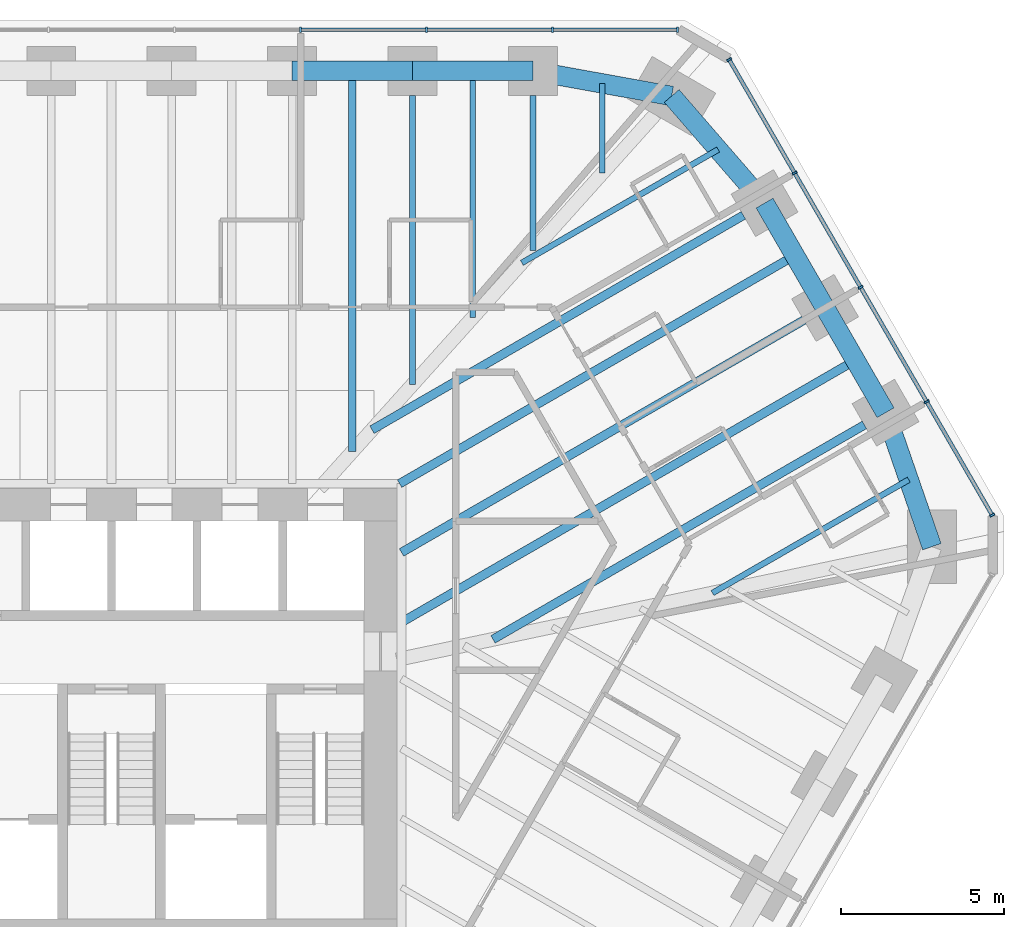
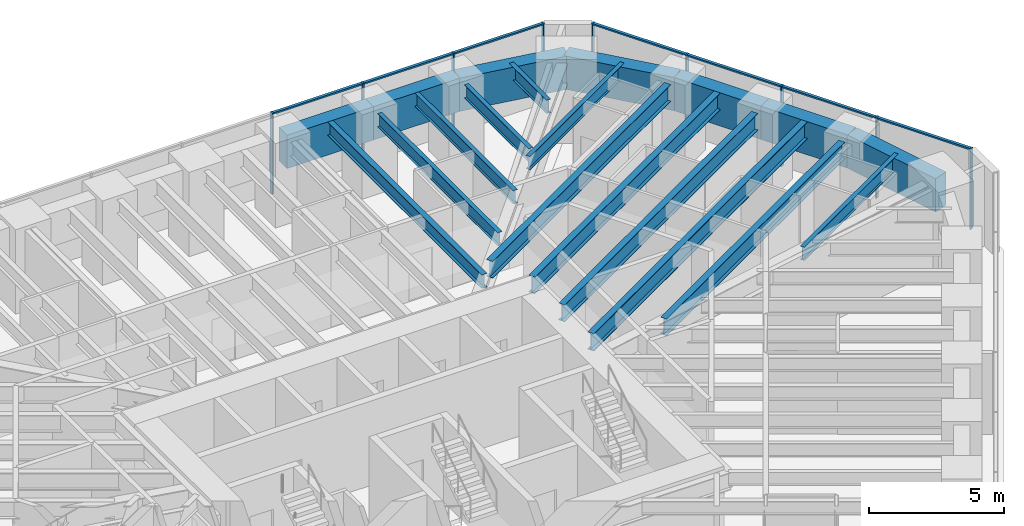
# One storey, part 9 of 17: 19 beams, 16 members, 2 elements without a shape of their own.
"""IFC4 building model written with IfcOpenShell, lengths in metres."""

from ifc_helpers import new_model, si_unit, direction, frame, origin, origin_2d, place, context, subcontext, project, spatial, rectangle, i_section, extrude, material, material_profile, profile_set, type_object, element, aggregate, save


model = new_model("IFC4")

# Units and contexts
model_context = context("Model", 3, precision=1e-05, world=origin(), true_north=direction((0.0, 1.0)))
body_context = subcontext(model_context, "Body", "Model", "MODEL_VIEW")
ifc_project = project(units=[si_unit("LENGTHUNIT", "METRE"), si_unit("AREAUNIT", "SQUARE_METRE"), si_unit("VOLUMEUNIT", "CUBIC_METRE"), si_unit("PLANEANGLEUNIT", "RADIAN"), si_unit("MASSUNIT", "GRAM", prefix="KILO")], contexts=[model_context])

# Site, building, storey
site_placement = place(None, origin())
site = spatial("IfcSite", under=ifc_project, at=site_placement, CompositionType="ELEMENT")
building_placement = place(site_placement, origin())
building = spatial("IfcBuilding", under=site, at=building_placement, Name="Sandreach Pilgrim Tower", CompositionType="ELEMENT")
storey_placement = place(building_placement, frame((0.0, 0.0, 217.39990234375)))
storey = spatial("IfcBuildingStorey", under=building, at=storey_placement, Name="L54", CompositionType="ELEMENT", Elevation=217.39990234375)

# Curtain wall, members
ifc_material_1 = material(Name="Aluminium framed curtain wall", Category="aluminium")
curtain_wall_type = type_object("IfcCurtainWallType", Name="Upper hotel tower curtain wall", PredefinedType="NOTDEFINED", material=ifc_material_1)
curtain_wall_1_placement = place(storey_placement, origin())
curtain_wall_1 = element("IfcCurtainWall", 1, at=curtain_wall_1_placement, inside=storey, type_object=curtain_wall_type, Name="CW-3 L54 N", PredefinedType="NOTDEFINED")
ifc_material_2 = material(Name="Aluminium extrusion", Category="aluminium")
ifc_material_profile_1 = material_profile(ifc_material_2, rectangle(XDim=0.06494140625, YDim=0.159912109375, at=origin_2d()), Name="CW-3M 65X160")
ifc_profile_set_1 = profile_set([ifc_material_profile_1], Name="Aluminium extrusion")
member_type_1 = type_object("IfcMemberType", Name="CW-3 mullion", PredefinedType="MULLION", material=ifc_profile_set_1)
member_1_placement = place(storey_placement, frame((5.796630859375, 21.16015625, 0.0), z_axis=(0.0, 0.0, 1.0), x_axis=(1.0, 0.0, 0.0)))
member_1 = element("IfcMember", 2, at=member_1_placement, type_object=member_type_1, Name="CW-3 mullion 7", PredefinedType="MULLION", context=body_context, shape_type="SweptSolid", body=[
    extrude(rectangle(XDim=0.06494140625, YDim=0.159912109375, at=origin_2d()), origin(), (0.0, 0.0, 1.0), 3.64013671875),
])
member_2_placement = place(storey_placement, frame((9.6611328125, 21.16015625, 0.0), z_axis=(0.0, 0.0, 1.0), x_axis=(1.0, 0.0, 0.0)))
member_2 = element("IfcMember", 3, at=member_2_placement, type_object=member_type_1, Name="CW-3 mullion 8", PredefinedType="MULLION", context=body_context, shape_type="SweptSolid", body=[
    extrude(rectangle(XDim=0.06494140625, YDim=0.159912109375, at=origin_2d()), origin(), (0.0, 0.0, 1.0), 3.64013671875),
])
member_3_placement = place(storey_placement, frame((13.525390625, 21.16015625, 0.0), z_axis=(0.0, 0.0, 1.0), x_axis=(1.0, 0.0, 0.0)))
member_3 = element("IfcMember", 4, at=member_3_placement, type_object=member_type_1, Name="CW-3 mullion 9", PredefinedType="MULLION", context=body_context, shape_type="SweptSolid", body=[
    extrude(rectangle(XDim=0.06494140625, YDim=0.159912109375, at=origin_2d()), origin(), (0.0, 0.0, 1.0), 3.64013671875),
])
member_4_placement = place(storey_placement, frame((17.357421875, 21.16015625, 0.0), z_axis=(0.0, 0.0, 1.0), x_axis=(1.0, 0.0, 0.0)))
member_4 = element("IfcMember", 5, at=member_4_placement, type_object=member_type_1, Name="CW-3 mullion 10", PredefinedType="MULLION", context=body_context, shape_type="SweptSolid", body=[
    extrude(rectangle(XDim=0.06494140625, YDim=0.159912109375, at=origin_2d()), origin(), (0.0, 0.0, 1.0), 3.64013671875),
])

curtain_wall_2_placement = place(storey_placement, origin())
curtain_wall_2 = element("IfcCurtainWall", 6, at=curtain_wall_2_placement, inside=storey, type_object=curtain_wall_type, Name="CW-3 L54 NE", PredefinedType="NOTDEFINED")
member_5_placement = place(storey_placement, frame((18.93896484375, 20.2470703125, 0.0), z_axis=(0.0, 0.0, 1.0), x_axis=(0.5, -0.866025403784, 0.0)))
member_5 = element("IfcMember", 7, at=member_5_placement, type_object=member_type_1, Name="CW-3 mullion 1", PredefinedType="MULLION", context=body_context, shape_type="SweptSolid", body=[
    extrude(rectangle(XDim=0.06494140625, YDim=0.159912109375, at=origin_2d()), origin(), (0.0, 0.0, 1.0), 3.64013671875),
])
member_6_placement = place(storey_placement, frame((20.947021484375, 16.768798828125, 0.0), z_axis=(0.0, 0.0, 1.0), x_axis=(0.5, -0.866025403784, 0.0)))
member_6 = element("IfcMember", 8, at=member_6_placement, type_object=member_type_1, Name="CW-3 mullion 2", PredefinedType="MULLION", context=body_context, shape_type="SweptSolid", body=[
    extrude(rectangle(XDim=0.06494140625, YDim=0.159912109375, at=origin_2d()), origin(), (0.0, 0.0, 1.0), 3.64013671875),
])
member_7_placement = place(storey_placement, frame((22.971435546875, 13.262451171875, 0.0), z_axis=(0.0, 0.0, 1.0), x_axis=(0.5, -0.866025403784, 0.0)))
member_7 = element("IfcMember", 9, at=member_7_placement, type_object=member_type_1, Name="CW-3 mullion 3", PredefinedType="MULLION", context=body_context, shape_type="SweptSolid", body=[
    extrude(rectangle(XDim=0.06494140625, YDim=0.159912109375, at=origin_2d()), origin(), (0.0, 0.0, 1.0), 3.64013671875),
])
member_8_placement = place(storey_placement, frame((24.995849609375, 9.75634765625, 0.0), z_axis=(0.0, 0.0, 1.0), x_axis=(0.5, -0.866025403784, 0.0)))
member_8 = element("IfcMember", 10, at=member_8_placement, type_object=member_type_1, Name="CW-3 mullion 4", PredefinedType="MULLION", context=body_context, shape_type="SweptSolid", body=[
    extrude(rectangle(XDim=0.06494140625, YDim=0.159912109375, at=origin_2d()), origin(), (0.0, 0.0, 1.0), 3.64013671875),
])
member_9_placement = place(storey_placement, frame((27.00390625, 6.278076171875, 0.0), z_axis=(0.0, 0.0, 1.0), x_axis=(0.5, -0.866025403784, 0.0)))
member_9 = element("IfcMember", 11, at=member_9_placement, type_object=member_type_1, Name="CW-3 mullion 5", PredefinedType="MULLION", context=body_context, shape_type="SweptSolid", body=[
    extrude(rectangle(XDim=0.06494140625, YDim=0.159912109375, at=origin_2d()), origin(), (0.0, 0.0, 1.0), 3.64013671875),
])

# Member
ifc_material_3 = material(Name="Aluminium extrusion", Category="aluminium")
ifc_material_profile_2 = material_profile(ifc_material_3, rectangle(XDim=0.1201171875, YDim=0.070068359375, at=origin_2d()), Name="CW-3T 120X70")
ifc_profile_set_2 = profile_set([ifc_material_profile_2], Name="Aluminium extrusion")
member_type_2 = type_object("IfcMemberType", Name="CW-3 transom", PredefinedType="USERDEFINED", material=ifc_profile_set_2)
member_10_placement = place(storey_placement, frame((5.8291015625, 21.16015625, 3.60498046875), z_axis=(1.0, 0.0, 0.0), x_axis=(0.0, 1.0, 0.0)))
member_10 = element("IfcMember", 12, at=member_10_placement, type_object=member_type_2, Name="CW-3 head transom 7", ObjectType="TRANSOM", PredefinedType="USERDEFINED", context=body_context, shape_type="SweptSolid", body=[
    extrude(rectangle(XDim=0.1201171875, YDim=0.070068359375, at=origin_2d()), origin(), (0.0, 0.0, 1.0), 3.799560546875),
])

member_11_placement = place(storey_placement, frame((9.693603515625, 21.16015625, 3.60498046875), z_axis=(1.0, 0.0, 0.0), x_axis=(0.0, 1.0, 0.0)))
member_11 = element("IfcMember", 13, at=member_11_placement, type_object=member_type_2, Name="CW-3 head transom 8", ObjectType="TRANSOM", PredefinedType="USERDEFINED", context=body_context, shape_type="SweptSolid", body=[
    extrude(rectangle(XDim=0.1201171875, YDim=0.070068359375, at=origin_2d()), origin(), (0.0, 0.0, 1.0), 3.79931640625),
])

member_12_placement = place(storey_placement, frame((13.557861328125, 21.16015625, 3.60498046875), z_axis=(1.0, 0.0, 0.0), x_axis=(0.0, 1.0, 0.0)))
member_12 = element("IfcMember", 14, at=member_12_placement, type_object=member_type_2, Name="CW-3 head transom 9", ObjectType="TRANSOM", PredefinedType="USERDEFINED", context=body_context, shape_type="SweptSolid", body=[
    extrude(rectangle(XDim=0.1201171875, YDim=0.070068359375, at=origin_2d()), origin(), (0.0, 0.0, 1.0), 3.76708984375),
])

aggregate(curtain_wall_1, [member_1, member_2, member_3, member_4, member_10, member_11, member_12])

member_13_placement = place(storey_placement, frame((18.955322265625, 20.21875, 3.60498046875), z_axis=(0.499993448556, -0.866029186229, 0.0), x_axis=(0.866029186229, 0.499993448556, 0.0)))
member_13 = element("IfcMember", 15, at=member_13_placement, type_object=member_type_2, Name="CW-3 head transom 1", ObjectType="TRANSOM", PredefinedType="USERDEFINED", context=body_context, shape_type="SweptSolid", body=[
    extrude(rectangle(XDim=0.1201171875, YDim=0.070068359375, at=origin_2d()), origin(), (0.0, 0.0, 1.0), 3.951171875),
])

member_14_placement = place(storey_placement, frame((20.96337890625, 16.74072265625, 3.60498046875), z_axis=(0.499975332564, -0.866039645067, 0.0), x_axis=(0.866039645067, 0.499975332564, 0.0)))
member_14 = element("IfcMember", 16, at=member_14_placement, type_object=member_type_2, Name="CW-3 head transom 2", ObjectType="TRANSOM", PredefinedType="USERDEFINED", context=body_context, shape_type="SweptSolid", body=[
    extrude(rectangle(XDim=0.1201171875, YDim=0.070068359375, at=origin_2d()), origin(), (0.0, 0.0, 1.0), 3.983642578125),
])

member_15_placement = place(storey_placement, frame((22.98779296875, 13.234375, 3.60498046875), z_axis=(0.499975332564, -0.866039645067, 0.0), x_axis=(0.866039645067, 0.499975332564, 0.0)))
member_15 = element("IfcMember", 17, at=member_15_placement, type_object=member_type_2, Name="CW-3 head transom 3", ObjectType="TRANSOM", PredefinedType="USERDEFINED", context=body_context, shape_type="SweptSolid", body=[
    extrude(rectangle(XDim=0.1201171875, YDim=0.070068359375, at=origin_2d()), origin(), (0.0, 0.0, 1.0), 3.983642578125),
])

member_16_placement = place(storey_placement, frame((25.011962890625, 9.728271484375, 3.60498046875), z_axis=(0.499993448556, -0.866029186229, 0.0), x_axis=(0.866029186229, 0.499993448556, 0.0)))
member_16 = element("IfcMember", 18, at=member_16_placement, type_object=member_type_2, Name="CW-3 head transom 4", ObjectType="TRANSOM", PredefinedType="USERDEFINED", context=body_context, shape_type="SweptSolid", body=[
    extrude(rectangle(XDim=0.1201171875, YDim=0.070068359375, at=origin_2d()), origin(), (0.0, 0.0, 1.0), 3.951171875),
])

aggregate(curtain_wall_2, [member_5, member_6, member_7, member_8, member_9, member_13, member_14, member_15, member_16])

# Beams
ifc_material_4 = material(Name="Steel ASTM A992 Grade 50", Category="steel")
ifc_material_profile_3 = material_profile(ifc_material_4, i_section(OverallWidth=0.1787109375, OverallDepth=0.60205078125, WebThickness=0.010986328125, FlangeThickness=0.014892578125, at=origin_2d()), Name="W24X62")
ifc_profile_set_3 = profile_set([ifc_material_profile_3], Name="Steel ASTM A992 Grade 50")
beam_type_1 = type_object("IfcBeamType", Name="Floor beam W24X62", PredefinedType="BEAM", material=ifc_profile_set_3)
beam_1_placement = place(storey_placement, frame((9.231201171875, 19.150146484375, 3.339111328125), z_axis=(0.0, -1.0, 0.0), x_axis=(1.0, 0.0, 0.0)))
element("IfcBeam", 19, at=beam_1_placement, inside=storey, type_object=beam_type_1, Name="BM L54 F07", PredefinedType="BEAM", context=body_context, shape_type="SweptSolid", body=[
    extrude(i_section(OverallWidth=0.1787109375, OverallDepth=0.60205078125, WebThickness=0.010986328125, FlangeThickness=0.014892578125, at=origin_2d()), origin(), (0.0, 0.0, 1.0), 8.86962890625),
])
beam_2_placement = place(storey_placement, frame((12.923828125, 19.150146484375, 3.339111328125), z_axis=(0.0, -1.0, 0.0), x_axis=(1.0, 0.0, 0.0)))
element("IfcBeam", 20, at=beam_2_placement, inside=storey, type_object=beam_type_1, Name="BM L54 F08", PredefinedType="BEAM", context=body_context, shape_type="SweptSolid", body=[
    extrude(i_section(OverallWidth=0.1787109375, OverallDepth=0.60205078125, WebThickness=0.010986328125, FlangeThickness=0.014892578125, at=origin_2d()), origin(), (0.0, 0.0, 1.0), 4.757568359375),
])
beam_3_placement = place(storey_placement, frame((11.077392578125, 19.900146484375, 3.339111328125), z_axis=(0.0, -1.0, 0.0), x_axis=(1.0, 0.0, 0.0)))
element("IfcBeam", 21, at=beam_3_placement, inside=storey, type_object=beam_type_1, Name="BM L54 FM07", PredefinedType="BEAM", context=body_context, shape_type="SweptSolid", body=[
    extrude(i_section(OverallWidth=0.1787109375, OverallDepth=0.60205078125, WebThickness=0.010986328125, FlangeThickness=0.014892578125, at=origin_2d()), origin(), (0.0, 0.0, 1.0), 7.563720703125),
])
beam_4_placement = place(storey_placement, frame((15.05078125, 19.515380859375, 3.339111328125), z_axis=(0.0, -1.0, 0.0), x_axis=(1.0, 0.0, 0.0)))
element("IfcBeam", 22, at=beam_4_placement, inside=storey, type_object=beam_type_1, Name="BM L54 FM08", PredefinedType="BEAM", context=body_context, shape_type="SweptSolid", body=[
    extrude(i_section(OverallWidth=0.1787109375, OverallDepth=0.60205078125, WebThickness=0.010986328125, FlangeThickness=0.014892578125, at=origin_2d()), origin(), (0.0, 0.0, 1.0), 2.75390625),
])
for number, where, z_axis, x_axis, name in (
    (23, (18.6015625, 17.48828125, 3.339111328125), (-0.866029381593, -0.499993110171, 0.0), (0.499993110171, -0.866029381593, 0.0), "BM L54 FM09"),
    (24, (24.446044921875, 7.365234375, 3.339111328125), (-0.866029381593, -0.499993110171, 0.0), (0.499993110171, -0.866029381593, 0.0), "BM L54 FM12"),
):
    element("IfcBeam", number, at=place(storey_placement, frame(where, z_axis=z_axis, x_axis=x_axis)), inside=storey, type_object=beam_type_1, Name=name, PredefinedType="BEAM", context=body_context, shape_type="SweptSolid", body=[
        extrude(i_section(OverallWidth=0.1787109375, OverallDepth=0.60205078125, WebThickness=0.010986328125, FlangeThickness=0.014892578125, at=origin_2d()), origin(), (0.0, 0.0, 1.0), 6.94921875),
    ])
ifc_material_5 = material(Name="Steel ASTM A992 Grade 50", Category="steel")
ifc_material_profile_4 = material_profile(ifc_material_5, i_section(OverallWidth=0.23046875, OverallDepth=0.6171875, WebThickness=0.01318359375, FlangeThickness=0.022216796875, at=origin_2d()), Name="W24X94")
ifc_profile_set_4 = profile_set([ifc_material_profile_4], Name="Steel ASTM A992 Grade 50")
beam_type_2 = type_object("IfcBeamType", Name="Floor beam W24X94", PredefinedType="BEAM", material=ifc_profile_set_4)
beam_5_placement = place(storey_placement, frame((7.385009765625, 19.900146484375, 3.33154296875), z_axis=(0.0, -1.0, 0.0), x_axis=(1.0, 0.0, 0.0)))
element("IfcBeam", 25, at=beam_5_placement, inside=storey, type_object=beam_type_2, Name="BM L54 FM06", PredefinedType="BEAM", context=body_context, shape_type="SweptSolid", body=[
    extrude(i_section(OverallWidth=0.23046875, OverallDepth=0.6171875, WebThickness=0.01318359375, FlangeThickness=0.022216796875, at=origin_2d()), origin(), (0.0, 0.0, 1.0), 11.67578125),
])
ifc_material_6 = material(Name="Steel ASTM A992 Grade 50", Category="steel")
ifc_material_profile_5 = material_profile(ifc_material_6, i_section(OverallWidth=0.2666015625, OverallDepth=0.761962890625, WebThickness=0.014404296875, FlangeThickness=0.021484375, at=origin_2d()), Name="W30X116")
ifc_profile_set_5 = profile_set([ifc_material_profile_5], Name="Steel ASTM A992 Grade 50")
beam_type_3 = type_object("IfcBeamType", Name="Floor beam W30X116", PredefinedType="BEAM", material=ifc_profile_set_5)
beam_6_placement = place(storey_placement, frame((19.37548828125, 15.470947265625, 3.259033203125), z_axis=(-0.866022320763, -0.500005339912, 0.0), x_axis=(0.500005339912, -0.866022320763, 0.0)))
element("IfcBeam", 26, at=beam_6_placement, inside=storey, type_object=beam_type_3, Name="BM L54 F10", PredefinedType="BEAM", context=body_context, shape_type="SweptSolid", body=[
    extrude(i_section(OverallWidth=0.2666015625, OverallDepth=0.761962890625, WebThickness=0.014404296875, FlangeThickness=0.021484375, at=origin_2d()), origin(), (0.0, 0.0, 1.0), 13.148193359375),
])
beam_7_placement = place(storey_placement, frame((21.230712890625, 12.257568359375, 3.259033203125), z_axis=(-0.866024056942, -0.500002332792, 0.0), x_axis=(0.500002332792, -0.866024056942, 0.0)))
element("IfcBeam", 27, at=beam_7_placement, inside=storey, type_object=beam_type_3, Name="BM L54 F11", PredefinedType="BEAM", context=body_context, shape_type="SweptSolid", body=[
    extrude(i_section(OverallWidth=0.2666015625, OverallDepth=0.761962890625, WebThickness=0.014404296875, FlangeThickness=0.021484375, at=origin_2d()), origin(), (0.0, 0.0, 1.0), 14.24609375),
])
beam_8_placement = place(storey_placement, frame((23.0859375, 9.044189453125, 3.259033203125), z_axis=(-0.866026962808, -0.499997299682, 0.0), x_axis=(0.499997299682, -0.866026962808, 0.0)))
element("IfcBeam", 28, at=beam_8_placement, inside=storey, type_object=beam_type_3, Name="BM L54 F12", PredefinedType="BEAM", context=body_context, shape_type="SweptSolid", body=[
    extrude(i_section(OverallWidth=0.2666015625, OverallDepth=0.761962890625, WebThickness=0.014404296875, FlangeThickness=0.021484375, at=origin_2d()), origin(), (0.0, 0.0, 1.0), 13.1484375),
])
beam_9_placement = place(storey_placement, frame((20.95263671875, 14.2392578125, 3.259033203125), z_axis=(-0.866025770688, -0.499999364504, 0.0), x_axis=(0.499999364504, -0.866025770688, 0.0)))
element("IfcBeam", 29, at=beam_9_placement, inside=storey, type_object=beam_type_3, Name="BM L54 FM10", PredefinedType="BEAM", context=body_context, shape_type="SweptSolid", body=[
    extrude(i_section(OverallWidth=0.2666015625, OverallDepth=0.761962890625, WebThickness=0.014404296875, FlangeThickness=0.021484375, at=origin_2d()), origin(), (0.0, 0.0, 1.0), 13.99169921875),
])
ifc_material_7 = material(Name="Steel ASTM A992 Grade 50", Category="steel")
ifc_material_profile_6 = material_profile(ifc_material_7, i_section(OverallWidth=0.2666015625, OverallDepth=0.77978515625, WebThickness=0.0166015625, FlangeThickness=0.030029296875, at=origin_2d()), Name="W30X148")
ifc_profile_set_6 = profile_set([ifc_material_profile_6], Name="Steel ASTM A992 Grade 50")
beam_type_4 = type_object("IfcBeamType", Name="Floor beam W30X148", PredefinedType="BEAM", material=ifc_profile_set_6)
beam_10_placement = place(storey_placement, frame((22.807861328125, 11.02587890625, 3.250244140625), z_axis=(-0.866028701771, -0.499994287676, 0.0), x_axis=(0.499994287676, -0.866028701771, 0.0)))
element("IfcBeam", 30, at=beam_10_placement, inside=storey, type_object=beam_type_4, Name="BM L54 FM11", PredefinedType="BEAM", context=body_context, shape_type="SweptSolid", body=[
    extrude(i_section(OverallWidth=0.2666015625, OverallDepth=0.77978515625, WebThickness=0.0166015625, FlangeThickness=0.030029296875, at=origin_2d()), origin(), (0.0, 0.0, 1.0), 16.067138671875),
])
ifc_material_8 = material(Name="Concrete 10000 psi", Category="concrete")
ifc_material_profile_7 = material_profile(ifc_material_8, rectangle(XDim=0.60009765625, YDim=1.5, at=origin_2d()), Name="RC600X1500")
ifc_profile_set_7 = profile_set([ifc_material_profile_7], Name="Concrete 10000 psi")
beam_type_5 = type_object("IfcBeamType", Name="Spandrel beam RC600X1500", PredefinedType="SPANDREL", material=ifc_profile_set_7)
beam_11_placement = place(storey_placement, frame((5.538818359375, 19.900146484375, 2.89013671875), z_axis=(1.0, 0.0, 0.0), x_axis=(0.0, 1.0, 0.0)))
element("IfcBeam", 31, at=beam_11_placement, inside=storey, type_object=beam_type_5, Name="BM L54 SP06", PredefinedType="SPANDREL", context=body_context, shape_type="SweptSolid", body=[
    extrude(rectangle(XDim=0.60009765625, YDim=1.5, at=origin_2d()), origin(), (0.0, 0.0, 1.0), 3.6923828125),
])
beam_12_placement = place(storey_placement, frame((9.231201171875, 19.900146484375, 2.89013671875), z_axis=(1.0, 0.0, 0.0), x_axis=(0.0, 1.0, 0.0)))
element("IfcBeam", 32, at=beam_12_placement, inside=storey, type_object=beam_type_5, Name="BM L54 SP07", PredefinedType="SPANDREL", context=body_context, shape_type="SweptSolid", body=[
    extrude(rectangle(XDim=0.60009765625, YDim=1.5, at=origin_2d()), origin(), (0.0, 0.0, 1.0), 3.692626953125),
])
beam_13_placement = place(storey_placement, frame((12.923828125, 19.900146484375, 2.89013671875), z_axis=(0.984030345637, -0.178000783326, 0.0), x_axis=(0.178000783326, 0.984030345637, 0.0)))
element("IfcBeam", 33, at=beam_13_placement, inside=storey, type_object=beam_type_5, Name="BM L54 SP08", PredefinedType="SPANDREL", context=body_context, shape_type="SweptSolid", body=[
    extrude(rectangle(XDim=0.60009765625, YDim=1.5, at=origin_2d()), origin(), (0.0, 0.0, 1.0), 4.3232421875),
])
beam_14_placement = place(storey_placement, frame((17.177978515625, 19.130615234375, 2.89013671875), z_axis=(0.65499040715, -0.755637192402, 0.0), x_axis=(0.755637192402, 0.65499040715, 0.0)))
element("IfcBeam", 34, at=beam_14_placement, inside=storey, type_object=beam_type_5, Name="BM L54 SP09", PredefinedType="SPANDREL", context=body_context, shape_type="SweptSolid", body=[
    extrude(rectangle(XDim=0.60009765625, YDim=1.5, at=origin_2d()), origin(), (0.0, 0.0, 1.0), 4.346923828125),
])
for number, where, z_axis, x_axis, name in (
    (35, (20.025146484375, 15.845947265625, 2.89013671875), (0.499995842751, -0.86602780396, 0.0), (0.86602780396, 0.499995842751, 0.0), "BM L54 SP10"),
    (36, (21.88037109375, 12.632568359375, 2.89013671875), (0.499946491854, -0.866056294523, 0.0), (0.866056294523, 0.499946491854, 0.0), "BM L54 SP11"),
):
    element("IfcBeam", number, at=place(storey_placement, frame(where, z_axis=z_axis, x_axis=x_axis)), inside=storey, type_object=beam_type_5, Name=name, PredefinedType="SPANDREL", context=body_context, shape_type="SweptSolid", body=[
        extrude(rectangle(XDim=0.60009765625, YDim=1.5, at=origin_2d()), origin(), (0.0, 0.0, 1.0), 3.71044921875),
    ])
beam_15_placement = place(storey_placement, frame((23.7353515625, 9.419189453125, 2.89013671875), z_axis=(0.326940800053, -0.945044820768, 0.0), x_axis=(0.945044820768, 0.326940800053, 0.0)))
element("IfcBeam", 37, at=beam_15_placement, inside=storey, type_object=beam_type_5, Name="BM L54 SP12", PredefinedType="SPANDREL", context=body_context, shape_type="SweptSolid", body=[
    extrude(rectangle(XDim=0.60009765625, YDim=1.5, at=origin_2d()), origin(), (0.0, 0.0, 1.0), 4.3466796875),
])

save(model, "model.ifc")
